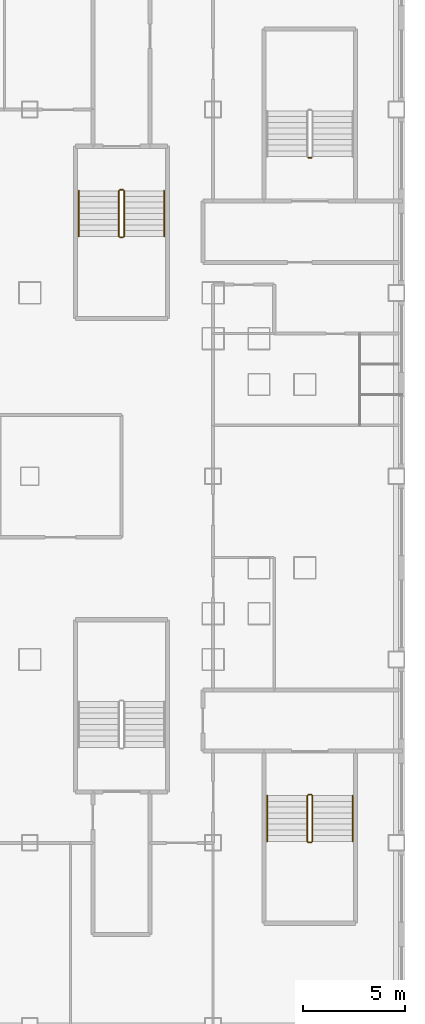
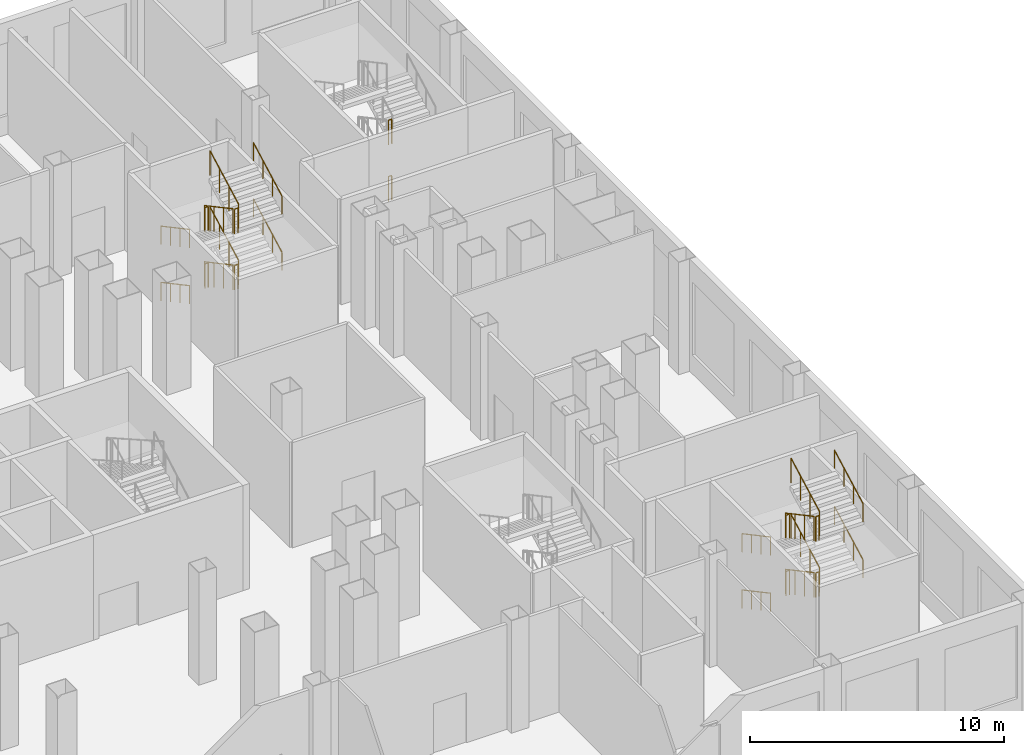
# One storey, part 26 of 27: 26 railings.
"""IFC4 building model written with IfcOpenShell, lengths in metres."""

from ifc_helpers import new_model, si_unit, direction, frame, origin, origin_2d, place, context, subcontext, project, spatial, circle, extrude, material, type_object, element, save


model = new_model("IFC4")

# Units and contexts
model_context = context("Model", 3, precision=1e-05, world=origin(), true_north=direction((0.0, 1.0)))
body_context = subcontext(model_context, "Body", "Model", "MODEL_VIEW")
ifc_project = project(units=[si_unit("LENGTHUNIT", "METRE"), si_unit("AREAUNIT", "SQUARE_METRE"), si_unit("VOLUMEUNIT", "CUBIC_METRE"), si_unit("PLANEANGLEUNIT", "RADIAN"), si_unit("MASSUNIT", "GRAM", prefix="KILO")], contexts=[model_context])

# Site, building, storey
site_placement = place(None, origin())
site = spatial("IfcSite", under=ifc_project, at=site_placement, CompositionType="ELEMENT")
building_placement = place(site_placement, origin())
building = spatial("IfcBuilding", under=site, at=building_placement, Name="Caravel Reach Hotel and Residences", CompositionType="ELEMENT")
storey_placement = place(building_placement, frame((0.0, 0.0, 6.60009765625)))
storey = spatial("IfcBuildingStorey", under=building, at=storey_placement, Name="L01", CompositionType="ELEMENT", Elevation=6.60009765625)

# Railings
ifc_material_1 = material(Name="Steel balustrade with glass infill", Category="steel")
railing_type_1 = type_object("IfcRailingType", Name="Guard 1200", PredefinedType="GUARDRAIL", material=ifc_material_1)
railing_1_placement = place(storey_placement, frame((53.875, 41.010009765625, 0.14990234375)))
element("IfcRailing", 1, at=railing_1_placement, inside=storey, type_object=railing_type_1, Name="L01 ST-P2 stair guard 1", PredefinedType="GUARDRAIL", context=body_context, shape_type="SweptSolid", body=[
    extrude(circle(Radius=0.02392578125, at=origin_2d()), frame((0.0, 0.0, 1.17578125), z_axis=(0.0, -0.881487111273, 0.472208081951), x_axis=(1.0, 0.0, 0.0)), (0.0, 0.0, 1.0), 2.541259765625),
    extrude(circle(Radius=0.02099609375, at=origin_2d()), origin(), (0.0, 0.0, 1.0), 1.15185546875),
    extrude(circle(Radius=0.02099609375, at=origin_2d()), frame((0.0, -0.74658203125, 0.39990234375)), (0.0, 0.0, 1.0), 1.15185546875),
    extrude(circle(Radius=0.02099609375, at=origin_2d()), frame((0.0, -1.493408203125, 0.800048828125)), (0.0, 0.0, 1.0), 1.15185546875),
    extrude(circle(Radius=0.02099609375, at=origin_2d()), frame((0.0, -2.239990234375, 1.199951171875)), (0.0, 0.0, 1.0), 1.15185546875),
])
railing_2_placement = place(storey_placement, frame((53.925048828125, 38.719970703125, 1.349853515625)))
element("IfcRailing", 2, at=railing_2_placement, inside=storey, type_object=railing_type_1, Name="L01 ST-P2 stair guard 2", PredefinedType="GUARDRAIL", context=body_context, shape_type="SweptSolid", body=[
    extrude(circle(Radius=0.02392578125, at=origin_2d()), frame((0.0, 0.0, 1.17578125), z_axis=(1.0, 0.0, 0.0), x_axis=(0.0, 1.0, 0.0)), (0.0, 0.0, 1.0), 0.14990234375),
    extrude(circle(Radius=0.02099609375, at=origin_2d()), origin(), (0.0, 0.0, 1.0), 1.15185546875),
    extrude(circle(Radius=0.02099609375, at=origin_2d()), frame((0.14990234375, 0.0, 0.0)), (0.0, 0.0, 1.0), 1.15185546875),
])
railing_3_placement = place(storey_placement, frame((54.125, 38.77001953125, 1.5)))
element("IfcRailing", 3, at=railing_3_placement, inside=storey, type_object=railing_type_1, Name="L01 ST-P2 stair guard 3", PredefinedType="GUARDRAIL", context=body_context, shape_type="SweptSolid", body=[
    extrude(circle(Radius=0.02392578125, at=origin_2d()), frame((0.0, 0.0, 1.17578125), z_axis=(0.0, 0.881487111273, 0.472208081951), x_axis=(-1.0, 0.0, 0.0)), (0.0, 0.0, 1.0), 2.541259765625),
    extrude(circle(Radius=0.02099609375, at=origin_2d()), origin(), (0.0, 0.0, 1.0), 1.15185546875),
    extrude(circle(Radius=0.02099609375, at=origin_2d()), frame((0.0, 0.74658203125, 0.39990234375)), (0.0, 0.0, 1.0), 1.15185546875),
    extrude(circle(Radius=0.02099609375, at=origin_2d()), frame((0.0, 1.493408203125, 0.800048828125)), (0.0, 0.0, 1.0), 1.15185546875),
    extrude(circle(Radius=0.02099609375, at=origin_2d()), frame((0.0, 2.239990234375, 1.199951171875)), (0.0, 0.0, 1.0), 1.15185546875),
])
railing_4_placement = place(storey_placement, frame((53.925048828125, 41.06005859375, 2.699951171875)))
element("IfcRailing", 4, at=railing_4_placement, inside=storey, type_object=railing_type_1, Name="L01 ST-P2 stair guard 4", PredefinedType="GUARDRAIL", context=body_context, shape_type="SweptSolid", body=[
    extrude(circle(Radius=0.02392578125, at=origin_2d()), frame((0.0, 0.0, 1.17578125), z_axis=(1.0, 0.0, 0.0), x_axis=(0.0, 1.0, 0.0)), (0.0, 0.0, 1.0), 0.14990234375),
    extrude(circle(Radius=0.02099609375, at=origin_2d()), origin(), (0.0, 0.0, 1.0), 1.15185546875),
    extrude(circle(Radius=0.02099609375, at=origin_2d()), frame((0.14990234375, 0.0, 0.0)), (0.0, 0.0, 1.0), 1.15185546875),
])
railing_5_placement = place(storey_placement, frame((53.875, 41.010009765625, 2.849853515625)))
element("IfcRailing", 5, at=railing_5_placement, inside=storey, type_object=railing_type_1, Name="L01 ST-P2 stair guard 5", PredefinedType="GUARDRAIL", context=body_context, shape_type="SweptSolid", body=[
    extrude(circle(Radius=0.02392578125, at=origin_2d()), frame((0.0, 0.0, 1.17578125), z_axis=(0.0, -0.881487111273, 0.472208081951), x_axis=(1.0, 0.0, 0.0)), (0.0, 0.0, 1.0), 2.541259765625),
    extrude(circle(Radius=0.02099609375, at=origin_2d()), origin(), (0.0, 0.0, 1.0), 1.15185546875),
    extrude(circle(Radius=0.02099609375, at=origin_2d()), frame((0.0, -0.74658203125, 0.39990234375)), (0.0, 0.0, 1.0), 1.15185546875),
    extrude(circle(Radius=0.02099609375, at=origin_2d()), frame((0.0, -1.493408203125, 0.800048828125)), (0.0, 0.0, 1.0), 1.15185546875),
    extrude(circle(Radius=0.02099609375, at=origin_2d()), frame((0.0, -2.239990234375, 1.199951171875)), (0.0, 0.0, 1.0), 1.15185546875),
])
railing_6_placement = place(storey_placement, frame((53.925048828125, 38.719970703125, 4.0498046875)))
element("IfcRailing", 6, at=railing_6_placement, inside=storey, type_object=railing_type_1, Name="L01 ST-P2 stair guard 6", PredefinedType="GUARDRAIL", context=body_context, shape_type="SweptSolid", body=[
    extrude(circle(Radius=0.02392578125, at=origin_2d()), frame((0.0, 0.0, 1.17578125), z_axis=(1.0, 0.0, 0.0), x_axis=(0.0, 1.0, 0.0)), (0.0, 0.0, 1.0), 0.14990234375),
    extrude(circle(Radius=0.02099609375, at=origin_2d()), origin(), (0.0, 0.0, 1.0), 1.15185546875),
    extrude(circle(Radius=0.02099609375, at=origin_2d()), frame((0.14990234375, 0.0, 0.0)), (0.0, 0.0, 1.0), 1.15185546875),
])
railing_7_placement = place(storey_placement, frame((54.125, 38.77001953125, 4.199951171875)))
element("IfcRailing", 7, at=railing_7_placement, inside=storey, type_object=railing_type_1, Name="L01 ST-P2 stair guard 7", PredefinedType="GUARDRAIL", context=body_context, shape_type="SweptSolid", body=[
    extrude(circle(Radius=0.02392578125, at=origin_2d()), frame((0.0, 0.0, 1.17578125), z_axis=(0.0, 0.881487111273, 0.472208081951), x_axis=(-1.0, 0.0, 0.0)), (0.0, 0.0, 1.0), 2.541259765625),
    extrude(circle(Radius=0.02099609375, at=origin_2d()), origin(), (0.0, 0.0, 1.0), 1.15185546875),
    extrude(circle(Radius=0.02099609375, at=origin_2d()), frame((0.0, 0.74658203125, 0.39990234375)), (0.0, 0.0, 1.0), 1.15185546875),
    extrude(circle(Radius=0.02099609375, at=origin_2d()), frame((0.0, 1.493408203125, 0.800048828125)), (0.0, 0.0, 1.0), 1.15185546875),
    extrude(circle(Radius=0.02099609375, at=origin_2d()), frame((0.0, 2.239990234375, 1.199951171875)), (0.0, 0.0, 1.0), 1.15185546875),
])
railing_8_placement = place(storey_placement, frame((53.925048828125, 41.06005859375, 0.0)))
element("IfcRailing", 8, at=railing_8_placement, inside=storey, type_object=railing_type_1, Name="L01 ST-P2 stair guard 8", PredefinedType="GUARDRAIL", context=body_context, shape_type="SweptSolid", body=[
    extrude(circle(Radius=0.02392578125, at=origin_2d()), frame((0.0, 0.0, 1.17578125), z_axis=(1.0, 0.0, 0.0), x_axis=(0.0, 1.0, 0.0)), (0.0, 0.0, 1.0), 0.14990234375),
    extrude(circle(Radius=0.02099609375, at=origin_2d()), origin(), (0.0, 0.0, 1.0), 1.15185546875),
    extrude(circle(Radius=0.02099609375, at=origin_2d()), frame((0.14990234375, 0.0, 0.0)), (0.0, 0.0, 1.0), 1.15185546875),
])
for number, where, name in (
    (9, (63.324951171875, 42.639892578125, 2.699951171875), "L01 ST-P6 stair guard 4"),
    (10, (63.324951171875, 42.639892578125, 0.0), "L01 ST-P6 stair guard 8"),
):
    element("IfcRailing", number, at=place(storey_placement, frame(where)), inside=storey, type_object=railing_type_1, Name=name, PredefinedType="GUARDRAIL", context=body_context, shape_type="SweptSolid", body=[
        extrude(circle(Radius=0.02392578125, at=origin_2d()), frame((0.0, 0.0, 1.17578125), z_axis=(-1.0, 0.0, 0.0), x_axis=(0.0, -1.0, 0.0)), (0.0, 0.0, 1.0), 0.14990234375),
        extrude(circle(Radius=0.02099609375, at=origin_2d()), origin(), (0.0, 0.0, 1.0), 1.15185546875),
        extrude(circle(Radius=0.02099609375, at=origin_2d()), frame((-0.14990234375, 0.0, 0.0)), (0.0, 0.0, 1.0), 1.15185546875),
    ])
railing_9_placement = place(storey_placement, frame((63.125, 11.31005859375, 0.14990234375)))
element("IfcRailing", 11, at=railing_9_placement, inside=storey, type_object=railing_type_1, Name="L01 ST-P7 stair guard 1", PredefinedType="GUARDRAIL", context=body_context, shape_type="SweptSolid", body=[
    extrude(circle(Radius=0.02392578125, at=origin_2d()), frame((0.0, 0.0, 1.17578125), z_axis=(0.0, -0.881487111273, 0.472208081951), x_axis=(1.0, 0.0, 0.0)), (0.0, 0.0, 1.0), 2.541259765625),
    extrude(circle(Radius=0.02099609375, at=origin_2d()), origin(), (0.0, 0.0, 1.0), 1.15185546875),
    extrude(circle(Radius=0.02099609375, at=origin_2d()), frame((0.0, -0.74658203125, 0.39990234375)), (0.0, 0.0, 1.0), 1.15185546875),
    extrude(circle(Radius=0.02099609375, at=origin_2d()), frame((0.0, -1.493408203125, 0.800048828125)), (0.0, 0.0, 1.0), 1.15185546875),
    extrude(circle(Radius=0.02099609375, at=origin_2d()), frame((0.0, -2.239990234375, 1.199951171875)), (0.0, 0.0, 1.0), 1.15185546875),
])
railing_10_placement = place(storey_placement, frame((63.175048828125, 9.02001953125, 1.349853515625)))
element("IfcRailing", 12, at=railing_10_placement, inside=storey, type_object=railing_type_1, Name="L01 ST-P7 stair guard 2", PredefinedType="GUARDRAIL", context=body_context, shape_type="SweptSolid", body=[
    extrude(circle(Radius=0.02392578125, at=origin_2d()), frame((0.0, 0.0, 1.17578125), z_axis=(1.0, 0.0, 0.0), x_axis=(0.0, 1.0, 0.0)), (0.0, 0.0, 1.0), 0.14990234375),
    extrude(circle(Radius=0.02099609375, at=origin_2d()), origin(), (0.0, 0.0, 1.0), 1.15185546875),
    extrude(circle(Radius=0.02099609375, at=origin_2d()), frame((0.14990234375, 0.0, 0.0)), (0.0, 0.0, 1.0), 1.15185546875),
])
railing_11_placement = place(storey_placement, frame((63.375, 9.070068359375, 1.5)))
element("IfcRailing", 13, at=railing_11_placement, inside=storey, type_object=railing_type_1, Name="L01 ST-P7 stair guard 3", PredefinedType="GUARDRAIL", context=body_context, shape_type="SweptSolid", body=[
    extrude(circle(Radius=0.02392578125, at=origin_2d()), frame((0.0, 0.0, 1.17578125), z_axis=(0.0, 0.881487111273, 0.472208081951), x_axis=(-1.0, 0.0, 0.0)), (0.0, 0.0, 1.0), 2.541259765625),
    extrude(circle(Radius=0.02099609375, at=origin_2d()), origin(), (0.0, 0.0, 1.0), 1.15185546875),
    extrude(circle(Radius=0.02099609375, at=origin_2d()), frame((0.0, 0.74658203125, 0.39990234375)), (0.0, 0.0, 1.0), 1.15185546875),
    extrude(circle(Radius=0.02099609375, at=origin_2d()), frame((0.0, 1.493408203125, 0.800048828125)), (0.0, 0.0, 1.0), 1.15185546875),
    extrude(circle(Radius=0.02099609375, at=origin_2d()), frame((0.0, 2.239990234375, 1.199951171875)), (0.0, 0.0, 1.0), 1.15185546875),
])
railing_12_placement = place(storey_placement, frame((63.175048828125, 11.360107421875, 2.699951171875)))
element("IfcRailing", 14, at=railing_12_placement, inside=storey, type_object=railing_type_1, Name="L01 ST-P7 stair guard 4", PredefinedType="GUARDRAIL", context=body_context, shape_type="SweptSolid", body=[
    extrude(circle(Radius=0.02392578125, at=origin_2d()), frame((0.0, 0.0, 1.17578125), z_axis=(1.0, 0.0, 0.0), x_axis=(0.0, 1.0, 0.0)), (0.0, 0.0, 1.0), 0.14990234375),
    extrude(circle(Radius=0.02099609375, at=origin_2d()), origin(), (0.0, 0.0, 1.0), 1.15185546875),
    extrude(circle(Radius=0.02099609375, at=origin_2d()), frame((0.14990234375, 0.0, 0.0)), (0.0, 0.0, 1.0), 1.15185546875),
])
railing_13_placement = place(storey_placement, frame((63.125, 11.31005859375, 2.849853515625)))
element("IfcRailing", 15, at=railing_13_placement, inside=storey, type_object=railing_type_1, Name="L01 ST-P7 stair guard 5", PredefinedType="GUARDRAIL", context=body_context, shape_type="SweptSolid", body=[
    extrude(circle(Radius=0.02392578125, at=origin_2d()), frame((0.0, 0.0, 1.17578125), z_axis=(0.0, -0.881487111273, 0.472208081951), x_axis=(1.0, 0.0, 0.0)), (0.0, 0.0, 1.0), 2.541259765625),
    extrude(circle(Radius=0.02099609375, at=origin_2d()), origin(), (0.0, 0.0, 1.0), 1.15185546875),
    extrude(circle(Radius=0.02099609375, at=origin_2d()), frame((0.0, -0.74658203125, 0.39990234375)), (0.0, 0.0, 1.0), 1.15185546875),
    extrude(circle(Radius=0.02099609375, at=origin_2d()), frame((0.0, -1.493408203125, 0.800048828125)), (0.0, 0.0, 1.0), 1.15185546875),
    extrude(circle(Radius=0.02099609375, at=origin_2d()), frame((0.0, -2.239990234375, 1.199951171875)), (0.0, 0.0, 1.0), 1.15185546875),
])
railing_14_placement = place(storey_placement, frame((63.175048828125, 9.02001953125, 4.0498046875)))
element("IfcRailing", 16, at=railing_14_placement, inside=storey, type_object=railing_type_1, Name="L01 ST-P7 stair guard 6", PredefinedType="GUARDRAIL", context=body_context, shape_type="SweptSolid", body=[
    extrude(circle(Radius=0.02392578125, at=origin_2d()), frame((0.0, 0.0, 1.17578125), z_axis=(1.0, 0.0, 0.0), x_axis=(0.0, 1.0, 0.0)), (0.0, 0.0, 1.0), 0.14990234375),
    extrude(circle(Radius=0.02099609375, at=origin_2d()), origin(), (0.0, 0.0, 1.0), 1.15185546875),
    extrude(circle(Radius=0.02099609375, at=origin_2d()), frame((0.14990234375, 0.0, 0.0)), (0.0, 0.0, 1.0), 1.15185546875),
])
railing_15_placement = place(storey_placement, frame((63.375, 9.070068359375, 4.199951171875)))
element("IfcRailing", 17, at=railing_15_placement, inside=storey, type_object=railing_type_1, Name="L01 ST-P7 stair guard 7", PredefinedType="GUARDRAIL", context=body_context, shape_type="SweptSolid", body=[
    extrude(circle(Radius=0.02392578125, at=origin_2d()), frame((0.0, 0.0, 1.17578125), z_axis=(0.0, 0.881487111273, 0.472208081951), x_axis=(-1.0, 0.0, 0.0)), (0.0, 0.0, 1.0), 2.541259765625),
    extrude(circle(Radius=0.02099609375, at=origin_2d()), origin(), (0.0, 0.0, 1.0), 1.15185546875),
    extrude(circle(Radius=0.02099609375, at=origin_2d()), frame((0.0, 0.74658203125, 0.39990234375)), (0.0, 0.0, 1.0), 1.15185546875),
    extrude(circle(Radius=0.02099609375, at=origin_2d()), frame((0.0, 1.493408203125, 0.800048828125)), (0.0, 0.0, 1.0), 1.15185546875),
    extrude(circle(Radius=0.02099609375, at=origin_2d()), frame((0.0, 2.239990234375, 1.199951171875)), (0.0, 0.0, 1.0), 1.15185546875),
])
railing_16_placement = place(storey_placement, frame((63.175048828125, 11.360107421875, 0.0)))
element("IfcRailing", 18, at=railing_16_placement, inside=storey, type_object=railing_type_1, Name="L01 ST-P7 stair guard 8", PredefinedType="GUARDRAIL", context=body_context, shape_type="SweptSolid", body=[
    extrude(circle(Radius=0.02392578125, at=origin_2d()), frame((0.0, 0.0, 1.17578125), z_axis=(1.0, 0.0, 0.0), x_axis=(0.0, 1.0, 0.0)), (0.0, 0.0, 1.0), 0.14990234375),
    extrude(circle(Radius=0.02099609375, at=origin_2d()), origin(), (0.0, 0.0, 1.0), 1.15185546875),
    extrude(circle(Radius=0.02099609375, at=origin_2d()), frame((0.14990234375, 0.0, 0.0)), (0.0, 0.0, 1.0), 1.15185546875),
])
ifc_material_2 = material(Name="Stainless steel handrail", Category="steel")
railing_type_2 = type_object("IfcRailingType", Name="Handrail 900", PredefinedType="HANDRAIL", material=ifc_material_2)
railing_17_placement = place(storey_placement, frame((51.905029296875, 41.010009765625, 0.14990234375)))
element("IfcRailing", 19, at=railing_17_placement, inside=storey, type_object=railing_type_2, Name="L01 ST-P2 stair handrail 1", PredefinedType="HANDRAIL", context=body_context, shape_type="SweptSolid", body=[
    extrude(circle(Radius=0.02392578125, at=origin_2d()), frame((0.0, 0.0, 0.8759765625), z_axis=(0.0, -0.881487111273, 0.472208081951), x_axis=(1.0, 0.0, 0.0)), (0.0, 0.0, 1.0), 2.541259765625),
    extrude(circle(Radius=0.02099609375, at=origin_2d()), origin(), (0.0, 0.0, 1.0), 0.851806640625),
    extrude(circle(Radius=0.02099609375, at=origin_2d()), frame((0.0, -0.74658203125, 0.39990234375)), (0.0, 0.0, 1.0), 0.851806640625),
    extrude(circle(Radius=0.02099609375, at=origin_2d()), frame((0.0, -1.493408203125, 0.800048828125)), (0.0, 0.0, 1.0), 0.851806640625),
    extrude(circle(Radius=0.02099609375, at=origin_2d()), frame((0.0, -2.239990234375, 1.199951171875)), (0.0, 0.0, 1.0), 0.851806640625),
])
railing_18_placement = place(storey_placement, frame((56.094970703125, 38.77001953125, 1.5)))
element("IfcRailing", 20, at=railing_18_placement, inside=storey, type_object=railing_type_2, Name="L01 ST-P2 stair handrail 2", PredefinedType="HANDRAIL", context=body_context, shape_type="SweptSolid", body=[
    extrude(circle(Radius=0.02392578125, at=origin_2d()), frame((0.0, 0.0, 0.8759765625), z_axis=(0.0, 0.881487111273, 0.472208081951), x_axis=(-1.0, 0.0, 0.0)), (0.0, 0.0, 1.0), 2.541259765625),
    extrude(circle(Radius=0.02099609375, at=origin_2d()), origin(), (0.0, 0.0, 1.0), 0.851806640625),
    extrude(circle(Radius=0.02099609375, at=origin_2d()), frame((0.0, 0.74658203125, 0.39990234375)), (0.0, 0.0, 1.0), 0.851806640625),
    extrude(circle(Radius=0.02099609375, at=origin_2d()), frame((0.0, 1.493408203125, 0.800048828125)), (0.0, 0.0, 1.0), 0.851806640625),
    extrude(circle(Radius=0.02099609375, at=origin_2d()), frame((0.0, 2.239990234375, 1.199951171875)), (0.0, 0.0, 1.0), 0.851806640625),
])
railing_19_placement = place(storey_placement, frame((51.905029296875, 41.010009765625, 2.849853515625)))
element("IfcRailing", 21, at=railing_19_placement, inside=storey, type_object=railing_type_2, Name="L01 ST-P2 stair handrail 3", PredefinedType="HANDRAIL", context=body_context, shape_type="SweptSolid", body=[
    extrude(circle(Radius=0.02392578125, at=origin_2d()), frame((0.0, 0.0, 0.8759765625), z_axis=(0.0, -0.881487111273, 0.472208081951), x_axis=(1.0, 0.0, 0.0)), (0.0, 0.0, 1.0), 2.541259765625),
    extrude(circle(Radius=0.02099609375, at=origin_2d()), origin(), (0.0, 0.0, 1.0), 0.851806640625),
    extrude(circle(Radius=0.02099609375, at=origin_2d()), frame((0.0, -0.74658203125, 0.39990234375)), (0.0, 0.0, 1.0), 0.851806640625),
    extrude(circle(Radius=0.02099609375, at=origin_2d()), frame((0.0, -1.493408203125, 0.800048828125)), (0.0, 0.0, 1.0), 0.851806640625),
    extrude(circle(Radius=0.02099609375, at=origin_2d()), frame((0.0, -2.239990234375, 1.199951171875)), (0.0, 0.0, 1.0), 0.851806640625),
])
railing_20_placement = place(storey_placement, frame((56.094970703125, 38.77001953125, 4.199951171875)))
element("IfcRailing", 22, at=railing_20_placement, inside=storey, type_object=railing_type_2, Name="L01 ST-P2 stair handrail 4", PredefinedType="HANDRAIL", context=body_context, shape_type="SweptSolid", body=[
    extrude(circle(Radius=0.02392578125, at=origin_2d()), frame((0.0, 0.0, 0.8759765625), z_axis=(0.0, 0.881487111273, 0.472208081951), x_axis=(-1.0, 0.0, 0.0)), (0.0, 0.0, 1.0), 2.541259765625),
    extrude(circle(Radius=0.02099609375, at=origin_2d()), origin(), (0.0, 0.0, 1.0), 0.851806640625),
    extrude(circle(Radius=0.02099609375, at=origin_2d()), frame((0.0, 0.74658203125, 0.39990234375)), (0.0, 0.0, 1.0), 0.851806640625),
    extrude(circle(Radius=0.02099609375, at=origin_2d()), frame((0.0, 1.493408203125, 0.800048828125)), (0.0, 0.0, 1.0), 0.851806640625),
    extrude(circle(Radius=0.02099609375, at=origin_2d()), frame((0.0, 2.239990234375, 1.199951171875)), (0.0, 0.0, 1.0), 0.851806640625),
])
railing_21_placement = place(storey_placement, frame((61.155029296875, 11.31005859375, 0.14990234375)))
element("IfcRailing", 23, at=railing_21_placement, inside=storey, type_object=railing_type_2, Name="L01 ST-P7 stair handrail 1", PredefinedType="HANDRAIL", context=body_context, shape_type="SweptSolid", body=[
    extrude(circle(Radius=0.02392578125, at=origin_2d()), frame((0.0, 0.0, 0.8759765625), z_axis=(0.0, -0.881487111273, 0.472208081951), x_axis=(1.0, 0.0, 0.0)), (0.0, 0.0, 1.0), 2.541259765625),
    extrude(circle(Radius=0.02099609375, at=origin_2d()), origin(), (0.0, 0.0, 1.0), 0.851806640625),
    extrude(circle(Radius=0.02099609375, at=origin_2d()), frame((0.0, -0.74658203125, 0.39990234375)), (0.0, 0.0, 1.0), 0.851806640625),
    extrude(circle(Radius=0.02099609375, at=origin_2d()), frame((0.0, -1.493408203125, 0.800048828125)), (0.0, 0.0, 1.0), 0.851806640625),
    extrude(circle(Radius=0.02099609375, at=origin_2d()), frame((0.0, -2.239990234375, 1.199951171875)), (0.0, 0.0, 1.0), 0.851806640625),
])
railing_22_placement = place(storey_placement, frame((65.344970703125, 9.070068359375, 1.5)))
element("IfcRailing", 24, at=railing_22_placement, inside=storey, type_object=railing_type_2, Name="L01 ST-P7 stair handrail 2", PredefinedType="HANDRAIL", context=body_context, shape_type="SweptSolid", body=[
    extrude(circle(Radius=0.02392578125, at=origin_2d()), frame((0.0, 0.0, 0.8759765625), z_axis=(0.0, 0.881487111273, 0.472208081951), x_axis=(-1.0, 0.0, 0.0)), (0.0, 0.0, 1.0), 2.541259765625),
    extrude(circle(Radius=0.02099609375, at=origin_2d()), origin(), (0.0, 0.0, 1.0), 0.851806640625),
    extrude(circle(Radius=0.02099609375, at=origin_2d()), frame((0.0, 0.74658203125, 0.39990234375)), (0.0, 0.0, 1.0), 0.851806640625),
    extrude(circle(Radius=0.02099609375, at=origin_2d()), frame((0.0, 1.493408203125, 0.800048828125)), (0.0, 0.0, 1.0), 0.851806640625),
    extrude(circle(Radius=0.02099609375, at=origin_2d()), frame((0.0, 2.239990234375, 1.199951171875)), (0.0, 0.0, 1.0), 0.851806640625),
])
railing_23_placement = place(storey_placement, frame((61.155029296875, 11.31005859375, 2.849853515625)))
element("IfcRailing", 25, at=railing_23_placement, inside=storey, type_object=railing_type_2, Name="L01 ST-P7 stair handrail 3", PredefinedType="HANDRAIL", context=body_context, shape_type="SweptSolid", body=[
    extrude(circle(Radius=0.02392578125, at=origin_2d()), frame((0.0, 0.0, 0.8759765625), z_axis=(0.0, -0.881487111273, 0.472208081951), x_axis=(1.0, 0.0, 0.0)), (0.0, 0.0, 1.0), 2.541259765625),
    extrude(circle(Radius=0.02099609375, at=origin_2d()), origin(), (0.0, 0.0, 1.0), 0.851806640625),
    extrude(circle(Radius=0.02099609375, at=origin_2d()), frame((0.0, -0.74658203125, 0.39990234375)), (0.0, 0.0, 1.0), 0.851806640625),
    extrude(circle(Radius=0.02099609375, at=origin_2d()), frame((0.0, -1.493408203125, 0.800048828125)), (0.0, 0.0, 1.0), 0.851806640625),
    extrude(circle(Radius=0.02099609375, at=origin_2d()), frame((0.0, -2.239990234375, 1.199951171875)), (0.0, 0.0, 1.0), 0.851806640625),
])
railing_24_placement = place(storey_placement, frame((65.344970703125, 9.070068359375, 4.199951171875)))
element("IfcRailing", 26, at=railing_24_placement, inside=storey, type_object=railing_type_2, Name="L01 ST-P7 stair handrail 4", PredefinedType="HANDRAIL", context=body_context, shape_type="SweptSolid", body=[
    extrude(circle(Radius=0.02392578125, at=origin_2d()), frame((0.0, 0.0, 0.8759765625), z_axis=(0.0, 0.881487111273, 0.472208081951), x_axis=(-1.0, 0.0, 0.0)), (0.0, 0.0, 1.0), 2.541259765625),
    extrude(circle(Radius=0.02099609375, at=origin_2d()), origin(), (0.0, 0.0, 1.0), 0.851806640625),
    extrude(circle(Radius=0.02099609375, at=origin_2d()), frame((0.0, 0.74658203125, 0.39990234375)), (0.0, 0.0, 1.0), 0.851806640625),
    extrude(circle(Radius=0.02099609375, at=origin_2d()), frame((0.0, 1.493408203125, 0.800048828125)), (0.0, 0.0, 1.0), 0.851806640625),
    extrude(circle(Radius=0.02099609375, at=origin_2d()), frame((0.0, 2.239990234375, 1.199951171875)), (0.0, 0.0, 1.0), 0.851806640625),
])

save(model, "model.ifc")
